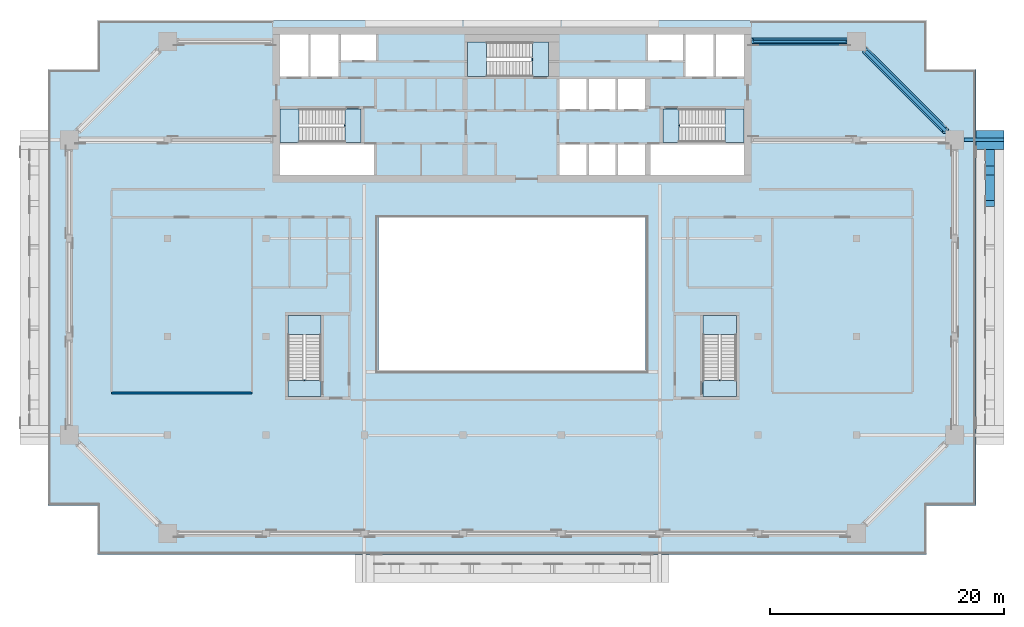
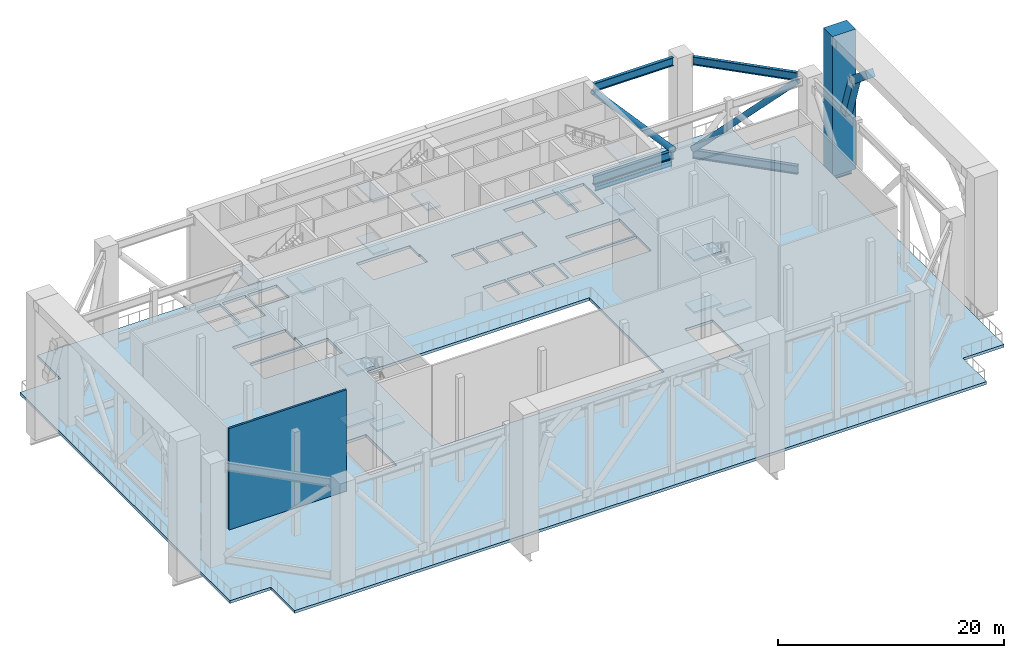
# One storey, part 3 of 19: 16 slabs, 9 members, 2 beams, 1 wall, 5 elements without a shape of their own.
"""IFC4 building model written with IfcOpenShell, lengths in metres."""

from ifc_helpers import new_model, si_unit, direction, frame, frame_2d, origin, origin_2d, place, context, subcontext, project, spatial, polyline, rectangle, hollow_circle, i_section, outline, extrude, material, layer, layer_set, material_profile, profile_set, type_object, element, aggregate, save


model = new_model("IFC4")

# Units and contexts
model_context = context("Model", 3, precision=1e-05, world=origin(), true_north=direction((0.0, 1.0)))
body_context = subcontext(model_context, "Body", "Model", "MODEL_VIEW")
ifc_project = project(units=[si_unit("LENGTHUNIT", "METRE"), si_unit("AREAUNIT", "SQUARE_METRE"), si_unit("VOLUMEUNIT", "CUBIC_METRE"), si_unit("PLANEANGLEUNIT", "RADIAN"), si_unit("MASSUNIT", "GRAM", prefix="KILO")], contexts=[model_context])

# Site, building, storey
site_placement = place(None, origin())
site = spatial("IfcSite", under=ifc_project, at=site_placement, CompositionType="ELEMENT")
building_placement = place(site_placement, origin())
building = spatial("IfcBuilding", under=site, at=building_placement, Name="Saffron Gate Tower", CompositionType="ELEMENT")
storey_placement = place(building_placement, frame((0.0, 0.0, 194.25)))
storey = spatial("IfcBuildingStorey", under=building, at=storey_placement, Name="L48", CompositionType="ELEMENT", Elevation=194.25)

# Beam
ifc_material_1 = material(Name="Structural steel S355", Category="steel")
ifc_material_profile_1 = material_profile(ifc_material_1, i_section(OverallWidth=0.18994140625, OverallDepth=0.449951171875, WebThickness=0.009521484375, FlangeThickness=0.0146484375, FilletRadius=0.02099609375, at=origin_2d()))
ifc_profile_set_1 = profile_set([ifc_material_profile_1], Name="Structural steel S355")
beam_type_1 = type_object("IfcBeamType", Name="B6 IPE 450", PredefinedType="BEAM", material=ifc_profile_set_1)
beam_1_placement = place(storey_placement, frame((116.10009765625, 73.800048828125, -0.52490234375), z_axis=(-1.0, 0.0, 0.0), x_axis=(0.0, -1.0, 0.0)))
element("IfcBeam", 1, at=beam_1_placement, inside=storey, type_object=beam_type_1, Name="B6 CORE TIE BEAM", PredefinedType="BEAM", context=body_context, shape_type="SweptSolid", body=[
    extrude(i_section(OverallWidth=0.18994140625, OverallDepth=0.449951171875, WebThickness=0.009521484375, FlangeThickness=0.0146484375, FilletRadius=0.02099609375, at=origin_2d()), origin(), (0.0, 0.0, 1.0), 7.900146484375),
])

# Members
ifc_material_profile_2 = material_profile(ifc_material_1, i_section(OverallWidth=0.300048828125, OverallDepth=0.89990234375, WebThickness=0.0185546875, FlangeThickness=0.034912109375, FilletRadius=0.030029296875, at=origin_2d()))
ifc_profile_set_2 = profile_set([ifc_material_profile_2], Name="Structural steel S355")
member_type_1 = type_object("IfcMemberType", Name="BT3 HEB 900", PredefinedType="CHORD", material=ifc_profile_set_2)
for number, where, z_axis, x_axis, name in (
    (2, (117.800048828125, 73.0, 10.52001953125), (0.707106781187, -0.707106781187, 0.0), (0.707106781187, 0.707106781187, 0.0), "BT3 BELT TRUSS TOP CHORD"),
    (3, (117.800048828125, 73.0, 0.449951171875), (0.707106781187, -0.707106781187, 0.0), (0.707106781187, 0.707106781187, 0.0), "BT3 BELT TRUSS BOTTOM CHORD"),
):
    element("IfcMember", number, at=place(storey_placement, frame(where, z_axis=z_axis, x_axis=x_axis)), inside=storey, type_object=member_type_1, Name=name, PredefinedType="CHORD", context=body_context, shape_type="SweptSolid", body=[
        extrude(i_section(OverallWidth=0.300048828125, OverallDepth=0.89990234375, WebThickness=0.0185546875, FlangeThickness=0.034912109375, FilletRadius=0.030029296875, at=origin_2d()), origin(), (0.0, 0.0, 1.0), 9.61669921875),
    ])
ifc_material_profile_3 = material_profile(ifc_material_1, hollow_circle(Radius=0.304931640625, WallThickness=0.02001953125, at=origin_2d()))
ifc_profile_set_3 = profile_set([ifc_material_profile_3], Name="Structural steel S355")
member_type_2 = type_object("IfcMemberType", Name="BT6 CHS 610x20", PredefinedType="BRACE", material=ifc_profile_set_3)
member_1_placement = place(storey_placement, frame((117.800048828125, 73.0, 0.89990234375), z_axis=(0.511740215527, -0.511740215527, 0.690104270111), x_axis=(0.707106781187, 0.707106781187, 0.0)))
element("IfcMember", 4, at=member_1_placement, inside=storey, type_object=member_type_2, Name="BT6 BELT TRUSS DIAGONAL", PredefinedType="BRACE", context=body_context, shape_type="SweptSolid", body=[
    extrude(hollow_circle(Radius=0.304931640625, WallThickness=0.02001953125, at=origin_2d()), origin(), (0.0, 0.0, 1.0), 13.2880859375),
])
ifc_material_profile_4 = material_profile(ifc_material_1, i_section(OverallWidth=0.300048828125, OverallDepth=0.89990234375, WebThickness=0.0185546875, FlangeThickness=0.034912109375, FilletRadius=0.030029296875, at=origin_2d()))
ifc_profile_set_4 = profile_set([ifc_material_profile_4], Name="Structural steel S355")
member_type_3 = type_object("IfcMemberType", Name="OT2 HEB 900", PredefinedType="CHORD", material=ifc_profile_set_4)
for number, where, z_axis, x_axis, name in (
    (5, (116.199951171875, 73.800048828125, 10.52001953125), (-1.0, 0.0, 0.0), (0.0, -1.0, 0.0), "OT2 OUTRIGGER TOP CHORD"),
    (6, (116.199951171875, 73.800048828125, 0.449951171875), (-1.0, 0.0, 0.0), (0.0, -1.0, 0.0), "OT2 OUTRIGGER BOTTOM CHORD"),
):
    element("IfcMember", number, at=place(storey_placement, frame(where, z_axis=z_axis, x_axis=x_axis)), inside=storey, type_object=member_type_3, Name=name, PredefinedType="CHORD", context=body_context, shape_type="SweptSolid", body=[
        extrude(i_section(OverallWidth=0.300048828125, OverallDepth=0.89990234375, WebThickness=0.0185546875, FlangeThickness=0.034912109375, FilletRadius=0.030029296875, at=origin_2d()), origin(), (0.0, 0.0, 1.0), 8.14990234375),
    ])
ifc_material_profile_5 = material_profile(ifc_material_1, hollow_circle(Radius=0.304931640625, WallThickness=0.02001953125, at=origin_2d()))
ifc_profile_set_5 = profile_set([ifc_material_profile_5], Name="Structural steel S355")
member_type_4 = type_object("IfcMemberType", Name="OT5 CHS 610x20", PredefinedType="BRACE", material=ifc_profile_set_5)
member_2_placement = place(storey_placement, frame((116.199951171875, 73.800048828125, 0.89990234375), z_axis=(-0.664302077915, 0.0, 0.747464212707), x_axis=(0.0, -1.0, 0.0)))
element("IfcMember", 7, at=member_2_placement, inside=storey, type_object=member_type_4, Name="OT5 OUTRIGGER DIAGONAL", PredefinedType="BRACE", context=body_context, shape_type="SweptSolid", body=[
    extrude(hollow_circle(Radius=0.304931640625, WallThickness=0.02001953125, at=origin_2d()), origin(), (0.0, 0.0, 1.0), 12.268310546875),
])
ifc_material_2 = material(Name="Concrete C60", Category="concrete")
ifc_material_profile_6 = material_profile(ifc_material_2, rectangle(XDim=0.800048828125, YDim=0.800048828125, at=origin_2d()))
ifc_profile_set_6 = profile_set([ifc_material_profile_6], Name="Concrete C60")
member_type_5 = type_object("IfcMemberType", Name="PA1 RC 800x800", PredefinedType="BRACE", material=ifc_profile_set_6)
member_3_placement = place(storey_placement, frame((128.39990234375, 59.98583984375, 13.241943359375), z_axis=(0.0, 0.771301255722, -0.636470245119), x_axis=(-1.0, 0.0, 0.0)))
element("IfcMember", 8, at=member_3_placement, inside=storey, type_object=member_type_5, Name="PA1 PISHTAQ ARCH", PredefinedType="BRACE", context=body_context, shape_type="SweptSolid", body=[
    extrude(rectangle(XDim=0.800048828125, YDim=0.800048828125, at=origin_2d()), origin(), (0.0, 0.0, 1.0), 3.453125),
])
member_4_placement = place(storey_placement, frame((128.39990234375, 62.774658203125, 10.860595703125), z_axis=(0.0, 0.311817884168, -0.950141887885), x_axis=(-1.0, 0.0, 0.0)))
element("IfcMember", 9, at=member_4_placement, inside=storey, type_object=member_type_5, Name="PA1 PISHTAQ ARCH", PredefinedType="BRACE", context=body_context, shape_type="SweptSolid", body=[
    extrude(rectangle(XDim=0.800048828125, YDim=0.800048828125, at=origin_2d()), origin(), (0.0, 0.0, 1.0), 4.57080078125),
])
ifc_material_profile_7 = material_profile(ifc_material_2, rectangle(XDim=2.39990234375, YDim=1.60009765625, at=origin_2d()))
ifc_profile_set_7 = profile_set([ifc_material_profile_7], Name="Concrete C60")
member_type_6 = type_object("IfcMemberType", Name="PP1 RC 2400x1600", PredefinedType="POST", material=ifc_profile_set_7)
member_5_placement = place(storey_placement, frame((128.39990234375, 65.39990234375, -0.300048828125), z_axis=(0.0, 0.0, 1.0), x_axis=(1.0, 0.0, 0.0)))
element("IfcMember", 10, at=member_5_placement, inside=storey, type_object=member_type_6, Name="PP1 PISHTAQ PIER", PredefinedType="POST", context=body_context, shape_type="SweptSolid", body=[
    extrude(rectangle(XDim=2.39990234375, YDim=1.60009765625, at=origin_2d()), origin(), (0.0, 0.0, 1.0), 15.150146484375),
])

# Beam
ifc_material_profile_8 = material_profile(ifc_material_1, i_section(OverallWidth=0.300048828125, OverallDepth=0.889892578125, WebThickness=0.01611328125, FlangeThickness=0.030029296875, FilletRadius=0.030029296875, at=origin_2d()))
ifc_profile_set_8 = profile_set([ifc_material_profile_8], Name="Structural steel S355")
beam_type_2 = type_object("IfcBeamType", Name="PQ1 HEA 900", PredefinedType="BEAM", material=ifc_profile_set_8)
beam_2_placement = place(storey_placement, frame((129.60009765625, 65.39990234375, -0.7451171875), z_axis=(-1.0, 0.0, 0.0), x_axis=(0.0, -1.0, 0.0)))
element("IfcBeam", 11, at=beam_2_placement, inside=storey, type_object=beam_type_2, Name="PQ1 PISHTAQ PIER BEAM", PredefinedType="BEAM", context=body_context, shape_type="SweptSolid", body=[
    extrude(i_section(OverallWidth=0.300048828125, OverallDepth=0.889892578125, WebThickness=0.01611328125, FlangeThickness=0.030029296875, FilletRadius=0.030029296875, at=origin_2d()), origin(), (0.0, 0.0, 1.0), 3.400146484375),
])

# Slab
ifc_material_3 = material(Name="Concrete C40", Category="concrete")
ifc_layer_1 = layer(ifc_material_3, 0.300048828125)
ifc_layer_set_1 = layer_set([ifc_layer_1], Name="S3 FLOOR SLAB 300 CONCRETE C40")
slab_type_1 = type_object("IfcSlabType", Name="S3 FLOOR SLAB 300 CONCRETE C40", PredefinedType="FLOOR", material=ifc_layer_set_1)
slab_1_placement = place(storey_placement, frame((0.0, 0.0, -0.300048828125)))
element("IfcSlab", 12, at=slab_1_placement, inside=storey, type_object=slab_type_1, Name="S3 FLOOR SLAB", PredefinedType="FLOOR", context=body_context, shape_type="SweptSolid", body=[
    extrude(outline(polyline([(48.0, 34.199951171875), (52.199951171875, 34.199951171875), (52.199951171875, 30.0), (123.0, 30.0), (123.0, 34.199951171875), (127.199951171875, 34.199951171875), (127.199951171875, 71.39990234375), (123.0, 71.39990234375), (123.0, 75.60009765625), (52.199951171875, 75.60009765625), (52.199951171875, 71.39990234375), (48.0, 71.39990234375), (48.0, 34.199951171875)]), holes=[polyline([(67.800048828125, 62.39990234375), (67.800048828125, 65.0), (75.800048828125, 65.0), (75.800048828125, 62.39990234375), (67.800048828125, 62.39990234375)]), polyline([(67.800048828125, 65.199951171875), (67.800048828125, 68.050048828125), (73.25, 68.050048828125), (73.25, 66.550048828125), (73.34912109375, 66.550048828125), (73.34912109375, 65.199951171875), (67.800048828125, 65.199951171875)]), polyline([(67.800048828125, 70.800048828125), (67.800048828125, 74.39990234375), (70.199951171875, 74.39990234375), (70.199951171875, 70.800048828125), (67.800048828125, 70.800048828125)]), polyline([(68.449951171875, 44.85107421875), (68.449951171875, 50.39990234375), (71.300048828125, 50.39990234375), (71.300048828125, 44.949951171875), (69.800048828125, 44.949951171875), (69.800048828125, 44.85107421875), (68.449951171875, 44.85107421875)]), polyline([(70.39990234375, 70.800048828125), (70.39990234375, 74.39990234375), (72.800048828125, 74.39990234375), (72.800048828125, 70.800048828125), (70.39990234375, 70.800048828125)]), polyline([(73.0, 72.199951171875), (73.0, 74.39990234375), (76.0, 74.39990234375), (76.0, 72.199951171875), (73.0, 72.199951171875)]), polyline([(76.199951171875, 45.60009765625), (76.199951171875, 58.800048828125), (99.0, 58.800048828125), (99.0, 45.60009765625), (76.199951171875, 45.60009765625)]), polyline([(83.800048828125, 70.800048828125), (83.800048828125, 73.75), (89.25, 73.75), (89.25, 72.14990234375), (89.34912109375, 72.14990234375), (89.34912109375, 70.800048828125), (83.800048828125, 70.800048828125)]), polyline([(91.64990234375, 62.39990234375), (91.64990234375, 65.0), (93.949951171875, 65.0), (93.949951171875, 62.39990234375), (91.64990234375, 62.39990234375)]), polyline([(91.64990234375, 68.0), (91.64990234375, 70.60009765625), (93.949951171875, 70.60009765625), (93.949951171875, 68.0), (91.64990234375, 68.0)]), polyline([(94.14990234375, 62.39990234375), (94.14990234375, 65.0), (96.449951171875, 65.0), (96.449951171875, 62.39990234375), (94.14990234375, 62.39990234375)]), polyline([(94.14990234375, 68.0), (94.14990234375, 70.60009765625), (96.449951171875, 70.60009765625), (96.449951171875, 68.0), (94.14990234375, 68.0)]), polyline([(96.64990234375, 62.39990234375), (96.64990234375, 65.0), (98.949951171875, 65.0), (98.949951171875, 62.39990234375), (96.64990234375, 62.39990234375)]), polyline([(96.64990234375, 68.0), (96.64990234375, 70.60009765625), (98.949951171875, 70.60009765625), (98.949951171875, 68.0), (96.64990234375, 68.0)]), polyline([(99.199951171875, 72.199951171875), (99.199951171875, 74.39990234375), (102.199951171875, 74.39990234375), (102.199951171875, 72.199951171875), (99.199951171875, 72.199951171875)]), polyline([(99.39990234375, 62.39990234375), (99.39990234375, 65.0), (107.39990234375, 65.0), (107.39990234375, 62.39990234375), (99.39990234375, 62.39990234375)]), polyline([(101.85107421875, 66.699951171875), (101.85107421875, 68.050048828125), (107.39990234375, 68.050048828125), (107.39990234375, 65.199951171875), (101.949951171875, 65.199951171875), (101.949951171875, 66.699951171875), (101.85107421875, 66.699951171875)]), polyline([(102.39990234375, 70.800048828125), (102.39990234375, 74.39990234375), (104.800048828125, 74.39990234375), (104.800048828125, 70.800048828125), (102.39990234375, 70.800048828125)]), polyline([(103.89990234375, 44.85107421875), (103.89990234375, 50.39990234375), (106.75, 50.39990234375), (106.75, 44.949951171875), (105.25, 44.949951171875), (105.25, 44.85107421875), (103.89990234375, 44.85107421875)]), polyline([(105.0, 70.800048828125), (105.0, 74.39990234375), (107.39990234375, 74.39990234375), (107.39990234375, 70.800048828125), (105.0, 70.800048828125)])]), origin(), (0.0, 0.0, 1.0), 0.300048828125),
])

# Stair, slabs
stair_type = type_object("IfcStairType", Name="ST8 Stair 1350 wide, 60 risers of 188", PredefinedType="HALF_TURN_STAIR", material=ifc_material_3)
stair_1_placement = place(storey_placement, origin())
stair_1 = element("IfcStair", 13, at=stair_1_placement, inside=storey, type_object=stair_type, Name="L48 Exit stair A", PredefinedType="HALF_TURN_STAIR")
ifc_layer_2 = layer(ifc_material_3, 0.199951171875)
ifc_layer_set_2 = layer_set([ifc_layer_2], Name="SL1 Stair landing 200")
slab_type_2 = type_object("IfcSlabType", Name="SL1 Stair landing 200", PredefinedType="LANDING", material=ifc_layer_set_2)
slab_2_placement = place(storey_placement, frame((0.0, 0.0, 2.612548828125)))
slab_2 = element("IfcSlab", 14, at=slab_2_placement, type_object=slab_type_2, Name="ST-A landing 1", PredefinedType="LANDING", context=body_context, shape_type="SweptSolid", body=[
    extrude(outline(polyline([(69.429931640625, 68.050048828125), (67.800048828125, 68.050048828125), (67.800048828125, 65.199951171875), (69.429931640625, 65.199951171875), (69.429931640625, 68.050048828125)])), origin(), (0.0, 0.0, 1.0), 0.199951171875),
])
slab_3_placement = place(storey_placement, frame((0.0, 0.0, 5.425048828125)))
slab_3 = element("IfcSlab", 15, at=slab_3_placement, type_object=slab_type_2, Name="ST-A landing 2", PredefinedType="LANDING", context=body_context, shape_type="SweptSolid", body=[
    extrude(outline(polyline([(74.699951171875, 68.050048828125), (73.35009765625, 68.050048828125), (73.35009765625, 65.199951171875), (74.699951171875, 65.199951171875), (74.699951171875, 68.050048828125)])), origin(), (0.0, 0.0, 1.0), 0.199951171875),
])
slab_4_placement = place(storey_placement, frame((0.0, 0.0, 8.237548828125)))
slab_4 = element("IfcSlab", 16, at=slab_4_placement, type_object=slab_type_2, Name="ST-A landing 3", PredefinedType="LANDING", context=body_context, shape_type="SweptSolid", body=[
    extrude(outline(polyline([(69.429931640625, 68.050048828125), (67.800048828125, 68.050048828125), (67.800048828125, 65.199951171875), (69.429931640625, 65.199951171875), (69.429931640625, 68.050048828125)])), origin(), (0.0, 0.0, 1.0), 0.199951171875),
])
aggregate(stair_1, [slab_2, slab_3, slab_4])

stair_2_placement = place(storey_placement, origin())
stair_2 = element("IfcStair", 17, at=stair_2_placement, inside=storey, type_object=stair_type, Name="L48 Exit stair B", PredefinedType="HALF_TURN_STAIR")
slab_5_placement = place(storey_placement, frame((0.0, 0.0, 2.612548828125)))
slab_5 = element("IfcSlab", 18, at=slab_5_placement, type_object=slab_type_2, Name="ST-B landing 1", PredefinedType="LANDING", context=body_context, shape_type="SweptSolid", body=[
    extrude(outline(polyline([(105.77001953125, 65.199951171875), (107.39990234375, 65.199951171875), (107.39990234375, 68.050048828125), (105.77001953125, 68.050048828125), (105.77001953125, 65.199951171875)])), origin(), (0.0, 0.0, 1.0), 0.199951171875),
])
slab_6_placement = place(storey_placement, frame((0.0, 0.0, 5.425048828125)))
slab_6 = element("IfcSlab", 19, at=slab_6_placement, type_object=slab_type_2, Name="ST-B landing 2", PredefinedType="LANDING", context=body_context, shape_type="SweptSolid", body=[
    extrude(outline(polyline([(100.5, 65.199951171875), (101.85009765625, 65.199951171875), (101.85009765625, 68.050048828125), (100.5, 68.050048828125), (100.5, 65.199951171875)])), origin(), (0.0, 0.0, 1.0), 0.199951171875),
])
slab_7_placement = place(storey_placement, frame((0.0, 0.0, 8.237548828125)))
slab_7 = element("IfcSlab", 20, at=slab_7_placement, type_object=slab_type_2, Name="ST-B landing 3", PredefinedType="LANDING", context=body_context, shape_type="SweptSolid", body=[
    extrude(outline(polyline([(105.77001953125, 65.199951171875), (107.39990234375, 65.199951171875), (107.39990234375, 68.050048828125), (105.77001953125, 68.050048828125), (105.77001953125, 65.199951171875)])), origin(), (0.0, 0.0, 1.0), 0.199951171875),
])
aggregate(stair_2, [slab_5, slab_6, slab_7])

stair_3_placement = place(storey_placement, origin())
stair_3 = element("IfcStair", 21, at=stair_3_placement, inside=storey, type_object=stair_type, Name="L48 Exit stair C", PredefinedType="HALF_TURN_STAIR")
slab_8_placement = place(storey_placement, frame((0.0, 0.0, 2.612548828125)))
slab_8 = element("IfcSlab", 22, at=slab_8_placement, type_object=slab_type_2, Name="ST-C landing 1", PredefinedType="LANDING", context=body_context, shape_type="SweptSolid", body=[
    extrude(outline(polyline([(85.429931640625, 73.75), (83.800048828125, 73.75), (83.800048828125, 70.800048828125), (85.429931640625, 70.800048828125), (85.429931640625, 73.75)])), origin(), (0.0, 0.0, 1.0), 0.199951171875),
])
slab_9_placement = place(storey_placement, frame((0.0, 0.0, 5.425048828125)))
slab_9 = element("IfcSlab", 23, at=slab_9_placement, type_object=slab_type_2, Name="ST-C landing 2", PredefinedType="LANDING", context=body_context, shape_type="SweptSolid", body=[
    extrude(outline(polyline([(90.699951171875, 73.75), (89.35009765625, 73.75), (89.35009765625, 70.800048828125), (90.699951171875, 70.800048828125), (90.699951171875, 73.75)])), origin(), (0.0, 0.0, 1.0), 0.199951171875),
])
slab_10_placement = place(storey_placement, frame((0.0, 0.0, 8.237548828125)))
slab_10 = element("IfcSlab", 24, at=slab_10_placement, type_object=slab_type_2, Name="ST-C landing 3", PredefinedType="LANDING", context=body_context, shape_type="SweptSolid", body=[
    extrude(outline(polyline([(85.429931640625, 73.75), (83.800048828125, 73.75), (83.800048828125, 70.800048828125), (85.429931640625, 70.800048828125), (85.429931640625, 73.75)])), origin(), (0.0, 0.0, 1.0), 0.199951171875),
])
aggregate(stair_3, [slab_8, slab_9, slab_10])

stair_4_placement = place(storey_placement, origin())
stair_4 = element("IfcStair", 25, at=stair_4_placement, inside=storey, type_object=stair_type, Name="L48 Exit stair D", PredefinedType="HALF_TURN_STAIR")
slab_11_placement = place(storey_placement, frame((0.0, 0.0, 2.612548828125)))
slab_11 = element("IfcSlab", 26, at=slab_11_placement, type_object=slab_type_2, Name="ST-D landing 1", PredefinedType="LANDING", context=body_context, shape_type="SweptSolid", body=[
    extrude(outline(polyline([(71.300048828125, 48.77001953125), (71.300048828125, 50.39990234375), (68.449951171875, 50.39990234375), (68.449951171875, 48.77001953125), (71.300048828125, 48.77001953125)])), origin(), (0.0, 0.0, 1.0), 0.199951171875),
])
slab_12_placement = place(storey_placement, frame((0.0, 0.0, 5.425048828125)))
slab_12 = element("IfcSlab", 27, at=slab_12_placement, type_object=slab_type_2, Name="ST-D landing 2", PredefinedType="LANDING", context=body_context, shape_type="SweptSolid", body=[
    extrude(outline(polyline([(71.300048828125, 43.5), (71.300048828125, 44.85009765625), (68.449951171875, 44.85009765625), (68.449951171875, 43.5), (71.300048828125, 43.5)])), origin(), (0.0, 0.0, 1.0), 0.199951171875),
])
slab_13_placement = place(storey_placement, frame((0.0, 0.0, 8.237548828125)))
slab_13 = element("IfcSlab", 28, at=slab_13_placement, type_object=slab_type_2, Name="ST-D landing 3", PredefinedType="LANDING", context=body_context, shape_type="SweptSolid", body=[
    extrude(outline(polyline([(71.300048828125, 48.77001953125), (71.300048828125, 50.39990234375), (68.449951171875, 50.39990234375), (68.449951171875, 48.77001953125), (71.300048828125, 48.77001953125)])), origin(), (0.0, 0.0, 1.0), 0.199951171875),
])
aggregate(stair_4, [slab_11, slab_12, slab_13])

stair_5_placement = place(storey_placement, origin())
stair_5 = element("IfcStair", 29, at=stair_5_placement, inside=storey, type_object=stair_type, Name="L48 Exit stair E", PredefinedType="HALF_TURN_STAIR")
slab_14_placement = place(storey_placement, frame((0.0, 0.0, 2.612548828125)))
slab_14 = element("IfcSlab", 30, at=slab_14_placement, type_object=slab_type_2, Name="ST-E landing 1", PredefinedType="LANDING", context=body_context, shape_type="SweptSolid", body=[
    extrude(outline(polyline([(106.75, 48.77001953125), (106.75, 50.39990234375), (103.89990234375, 50.39990234375), (103.89990234375, 48.77001953125), (106.75, 48.77001953125)])), origin(), (0.0, 0.0, 1.0), 0.199951171875),
])
slab_15_placement = place(storey_placement, frame((0.0, 0.0, 5.425048828125)))
slab_15 = element("IfcSlab", 31, at=slab_15_placement, type_object=slab_type_2, Name="ST-E landing 2", PredefinedType="LANDING", context=body_context, shape_type="SweptSolid", body=[
    extrude(outline(polyline([(106.75, 43.5), (106.75, 44.85009765625), (103.89990234375, 44.85009765625), (103.89990234375, 43.5), (106.75, 43.5)])), origin(), (0.0, 0.0, 1.0), 0.199951171875),
])
slab_16_placement = place(storey_placement, frame((0.0, 0.0, 8.237548828125)))
slab_16 = element("IfcSlab", 32, at=slab_16_placement, type_object=slab_type_2, Name="ST-E landing 3", PredefinedType="LANDING", context=body_context, shape_type="SweptSolid", body=[
    extrude(outline(polyline([(106.75, 48.77001953125), (106.75, 50.39990234375), (103.89990234375, 50.39990234375), (103.89990234375, 48.77001953125), (106.75, 48.77001953125)])), origin(), (0.0, 0.0, 1.0), 0.199951171875),
])
aggregate(stair_5, [slab_14, slab_15, slab_16])

# Wall
ifc_material_4 = material(Name="Clay brick masonry, rendered", Category="masonry")
ifc_layer_3 = layer(ifc_material_4, 0.199951171875)
ifc_layer_set_3 = layer_set([ifc_layer_3], Name="PW5 Room wall 200")
wall_type = type_object("IfcWallType", Name="PW5 Room wall 200", PredefinedType="PARTITIONING", material=ifc_layer_set_3)
wall_placement = place(storey_placement, frame((53.39990234375, 43.800048828125, 0.0), z_axis=(0.0, 0.0, 1.0), x_axis=(1.0, 0.0, 0.0)))
element("IfcWall", 33, at=wall_placement, inside=storey, type_object=wall_type, Name="Wall X2-2", PredefinedType="PARTITIONING", context=body_context, shape_type="SweptSolid", body=[
    extrude(rectangle(XDim=12.0, YDim=0.199951171875, at=frame_2d((6.0, 0.0))), origin(), (0.0, 0.0, 1.0), 10.969970703125),
])

save(model, "model.ifc")
